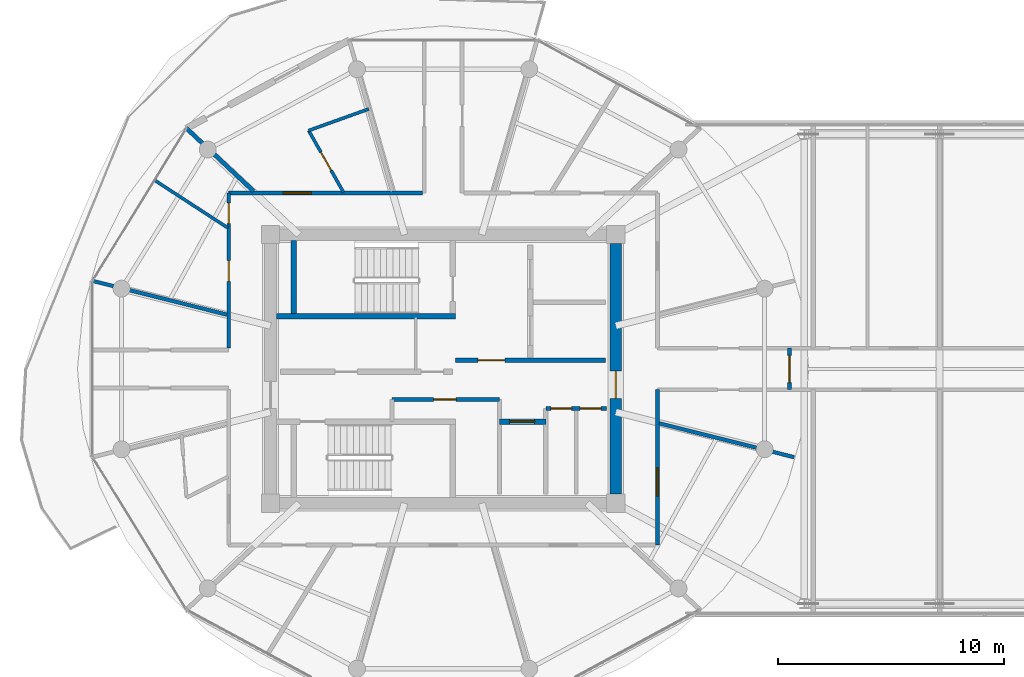
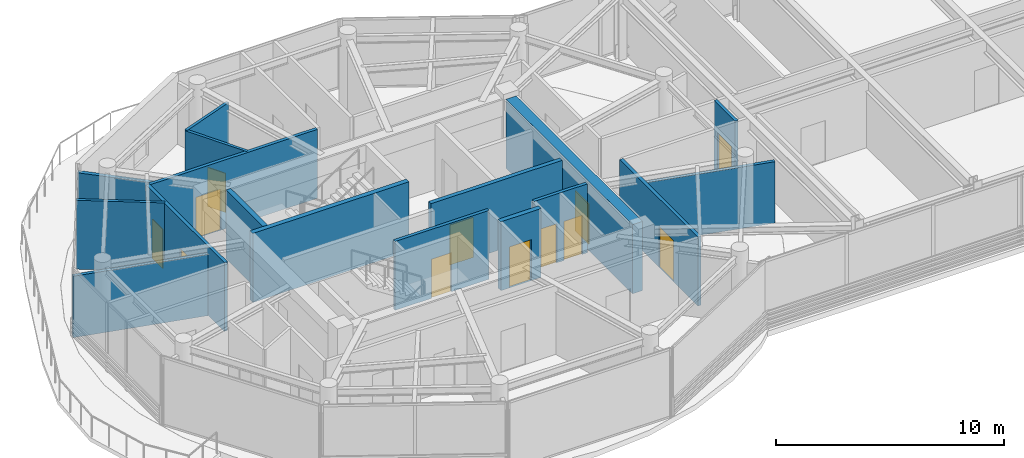
# One storey, part 14 of 24: 17 walls, 12 doors, 12 openings.
"""IFC4 building model written with IfcOpenShell, lengths in metres."""

from ifc_helpers import new_model, si_unit, direction, frame, frame_2d, origin, place, context, subcontext, project, spatial, rectangle, extrude, source, transform, mapped, material, layer, layer_set, type_object, type_shapes, element, fill, save


model = new_model("IFC4")

# Units and contexts
model_context = context("Model", 3, precision=1e-05, world=origin(), true_north=direction((0.0, 1.0)))
body_context = subcontext(model_context, "Body", "Model", "MODEL_VIEW")
ifc_project = project(units=[si_unit("LENGTHUNIT", "METRE"), si_unit("AREAUNIT", "SQUARE_METRE"), si_unit("VOLUMEUNIT", "CUBIC_METRE"), si_unit("PLANEANGLEUNIT", "RADIAN"), si_unit("MASSUNIT", "GRAM", prefix="KILO")], contexts=[model_context])

# Site, building, storey
site_placement = place(None, origin())
site = spatial("IfcSite", under=ifc_project, at=site_placement, CompositionType="ELEMENT")
building_placement = place(site_placement, origin())
building = spatial("IfcBuilding", under=site, at=building_placement, Name="Norrkilde Senior Care Towers", CompositionType="ELEMENT")
storey_placement = place(building_placement, frame((0.0, 0.0, 203.800048828125)))
storey = spatial("IfcBuildingStorey", under=building, at=storey_placement, Name="L63", CompositionType="ELEMENT", Elevation=203.800048828125)

# Wall, opening, door
ifc_material_1 = material(Name="Concrete C50/60", Category="concrete")
ifc_layer_1 = layer(ifc_material_1, 0.52001953125)
ifc_layer_set_1 = layer_set([ifc_layer_1], Name="Concrete C50/60")
wall_type_1 = type_object("IfcWallType", Name="Core Shear Wall Z4 520", PredefinedType="SHEAR", material=ifc_layer_set_1)
shared_shape_1 = source(origin(), body_context, "Body", "SweptSolid", [
    extrude(rectangle(XDim=11.10009765625, YDim=0.52001953125, at=frame_2d((5.550048828125, 0.0))), origin(), (0.0, 0.0, 1.0), 3.7099609375),
])
type_shapes(wall_type_1, [shared_shape_1])
wall_1_placement = place(storey_placement, frame((-20.35009765625, 5.550048828125, 0.0), z_axis=(0.0, 0.0, 1.0), x_axis=(0.0, -1.0, 0.0)))
wall_1 = element("IfcWall", 1, at=wall_1_placement, inside=storey, type_object=wall_type_1, Name="L63 Core W East Shear Wall", PredefinedType="SHEAR", context=body_context, shape_type="MappedRepresentation", body=[
    mapped(shared_shape_1, transform((0.0, 0.0, 0.0), x_axis=(1.0, 0.0, 0.0), y_axis=(0.0, 1.0, 0.0), z_axis=(0.0, 0.0, 1.0), scale=1.0)),
])
opening_1_placement = place(wall_1_placement, frame((5.64990234375, 0.0, 0.0)))
opening_1 = element("IfcOpeningElement", 2, at=opening_1_placement, cuts=wall_1, Name="Opening D-04", PredefinedType="OPENING", context=body_context, shape_type="SweptSolid", body=[
    extrude(rectangle(XDim=1.199951171875, YDim=2.14990234375, at=frame_2d((0.60009765625, 1.074951171875))), frame((0.0, 0.27001953125, 0.0), z_axis=(0.0, -1.0, 0.0), x_axis=(1.0, 0.0, 0.0)), (0.0, 0.0, 1.0), 0.5400390625),
])
ifc_material_2 = material(Name="Galvanised Painted Steel", Category="steel")
door_type_1 = type_object("IfcDoorType", Name="Firefighting Lobby Fire Door 1200x2150", OperationType="NOTDEFINED", PredefinedType="DOOR", material=ifc_material_2)
shared_shape_2 = source(origin(), body_context, "Body", "SweptSolid", [
    extrude(rectangle(XDim=1.199951171875, YDim=2.14990234375, at=frame_2d((0.60009765625, 1.074951171875))), frame((0.0, 0.02490234375, 0.0), z_axis=(0.0, -1.0, 0.0), x_axis=(1.0, 0.0, 0.0)), (0.0, 0.0, 1.0), 0.050048828125),
])
type_shapes(door_type_1, [shared_shape_2])
door_1_placement = place(opening_1_placement, frame((1.199951171875, 0.0, 0.0), z_axis=(0.0, 0.0, 1.0), x_axis=(-1.0, 0.0, 0.0)))
door_1 = element("IfcDoor", 3, at=door_1_placement, inside=storey, type_object=door_type_1, Name="L63 Core W East Portal Door", OperationType="SINGLE_SWING_RIGHT", OverallHeight=2.14990234375, OverallWidth=1.199951171875, PredefinedType="DOOR", context=body_context, shape_type="MappedRepresentation", body=[
    mapped(shared_shape_2, transform((0.0, 0.0, 0.0), x_axis=(1.0, 0.0, 0.0), y_axis=(0.0, 1.0, 0.0), z_axis=(0.0, 0.0, 1.0), scale=1.0)),
])
fill(opening_1, door_1)

# Walls
ifc_material_3 = material(Name="Concrete C45/55", Category="concrete")
ifc_layer_2 = layer(ifc_material_3, 0.239990234375)
ifc_layer_set_2 = layer_set([ifc_layer_2], Name="Concrete C45/55")
wall_type_2 = type_object("IfcWallType", Name="Shaft and Stair Enclosure Wall 240", PredefinedType="PARTITIONING", material=ifc_layer_set_2)
shared_shape_3 = source(origin(), body_context, "Body", "SweptSolid", [
    extrude(rectangle(XDim=7.929931640625, YDim=0.239990234375, at=frame_2d((3.96484375, 0.0))), origin(), (0.0, 0.0, 1.0), 3.7099609375),
])
wall_2_placement = place(storey_placement, frame((-35.389892578125, 2.330078125, 0.0), z_axis=(0.0, 0.0, 1.0), x_axis=(1.0, 0.0, 0.0)))
element("IfcWall", 4, at=wall_2_placement, inside=storey, type_object=wall_type_2, Name="WL-INT-L63-W-ST1S", PredefinedType="PARTITIONING", context=body_context, shape_type="MappedRepresentation", body=[
    mapped(shared_shape_3, transform((0.0, 0.0, 0.0), x_axis=(1.0, 0.0, 0.0), y_axis=(0.0, 1.0, 0.0), z_axis=(0.0, 0.0, 1.0), scale=1.0)),
])
shared_shape_4 = source(origin(), body_context, "Body", "SweptSolid", [
    extrude(rectangle(XDim=3.239990234375, YDim=0.239990234375, at=frame_2d((1.6201171875, 0.0))), origin(), (0.0, 0.0, 1.0), 3.7099609375),
])
type_shapes(wall_type_2, [shared_shape_3, shared_shape_4])
wall_3_placement = place(storey_placement, frame((-34.6201171875, 2.449951171875, 0.0), z_axis=(0.0, 0.0, 1.0), x_axis=(0.0, 1.0, 0.0)))
element("IfcWall", 5, at=wall_3_placement, inside=storey, type_object=wall_type_2, Name="WL-INT-L63-W-ST1W", PredefinedType="PARTITIONING", context=body_context, shape_type="MappedRepresentation", body=[
    mapped(shared_shape_4, transform((0.0, 0.0, 0.0), x_axis=(1.0, 0.0, 0.0), y_axis=(0.0, 1.0, 0.0), z_axis=(0.0, 0.0, 1.0), scale=1.0)),
])

# Wall, opening, door
ifc_layer_3 = layer(ifc_material_3, 0.2099609375)
ifc_layer_set_3 = layer_set([ifc_layer_3], Name="Concrete C45/55")
wall_type_3 = type_object("IfcWallType", Name="Firefighting Lobby Wall 210", PredefinedType="PARTITIONING", material=ifc_layer_set_3)
shared_shape_5 = source(origin(), body_context, "Body", "SweptSolid", [
    extrude(rectangle(XDim=6.659912109375, YDim=0.2099609375, at=frame_2d((3.330078125, 0.0))), origin(), (0.0, 0.0, 1.0), 3.695068359375),
])
type_shapes(wall_type_3, [shared_shape_5])
wall_4_placement = place(storey_placement, frame((-27.4599609375, 0.389892578125, 0.0), z_axis=(0.0, 0.0, 1.0), x_axis=(1.0, 0.0, 0.0)))
wall_4 = element("IfcWall", 6, at=wall_4_placement, inside=storey, type_object=wall_type_3, Name="WL-INT-L63-W-FFLS", PredefinedType="PARTITIONING", context=body_context, shape_type="MappedRepresentation", body=[
    mapped(shared_shape_5, transform((0.0, 0.0, 0.0), x_axis=(1.0, 0.0, 0.0), y_axis=(0.0, 1.0, 0.0), z_axis=(0.0, 0.0, 1.0), scale=1.0)),
])
opening_2_placement = place(wall_4_placement, frame((1.0, 0.0, 0.0)))
opening_2 = element("IfcOpeningElement", 7, at=opening_2_placement, cuts=wall_4, Name="Opening D-04", PredefinedType="OPENING", context=body_context, shape_type="SweptSolid", body=[
    extrude(rectangle(XDim=1.199951171875, YDim=2.14990234375, at=frame_2d((0.60009765625, 1.074951171875))), frame((0.0, 0.114990234375, 0.0), z_axis=(0.0, -1.0, 0.0), x_axis=(1.0, 0.0, 0.0)), (0.0, 0.0, 1.0), 0.22998046875),
])
door_2_placement = place(opening_2_placement, frame((1.199951171875, 0.0, 0.0), z_axis=(0.0, 0.0, 1.0), x_axis=(-1.0, 0.0, 0.0)))
door_2 = element("IfcDoor", 8, at=door_2_placement, inside=storey, type_object=door_type_1, Name="L63 Firefighting Lobby W Door", OperationType="SINGLE_SWING_LEFT", OverallHeight=2.14990234375, OverallWidth=1.199951171875, PredefinedType="DOOR", context=body_context, shape_type="MappedRepresentation", body=[
    mapped(shared_shape_2, transform((0.0, 0.0, 0.0), x_axis=(1.0, 0.0, 0.0), y_axis=(0.0, 1.0, 0.0), z_axis=(0.0, 0.0, 1.0), scale=1.0)),
])
fill(opening_2, door_2)

ifc_layer_4 = layer(ifc_material_3, 0.239990234375)
ifc_layer_set_4 = layer_set([ifc_layer_4], Name="Concrete C45/55")
wall_type_4 = type_object("IfcWallType", Name="Lift and Plant Rated Enclosure Partition 240", PredefinedType="PARTITIONING", material=ifc_layer_set_4)
shared_shape_6 = source(origin(), body_context, "Body", "SweptSolid", [
    extrude(rectangle(XDim=2.050048828125, YDim=0.239990234375, at=frame_2d((1.02490234375, 0.0))), origin(), (0.0, 0.0, 1.0), 3.695068359375),
])
type_shapes(wall_type_4, [shared_shape_6])
wall_5_placement = place(storey_placement, frame((-25.5, -2.330078125, 0.0), z_axis=(0.0, 0.0, 1.0), x_axis=(1.0, 0.0, 0.0)))
wall_5 = element("IfcWall", 9, at=wall_5_placement, inside=storey, type_object=wall_type_4, Name="WL-INT-L63-W-PL4N", PredefinedType="PARTITIONING", context=body_context, shape_type="MappedRepresentation", body=[
    mapped(shared_shape_6, transform((0.0, 0.0, 0.0), x_axis=(1.0, 0.0, 0.0), y_axis=(0.0, 1.0, 0.0), z_axis=(0.0, 0.0, 1.0), scale=1.0)),
])
opening_3_placement = place(wall_5_placement, frame((0.449951171875, 0.0, 0.0)))
opening_3 = element("IfcOpeningElement", 10, at=opening_3_placement, cuts=wall_5, Name="Opening LD-01", PredefinedType="OPENING", context=body_context, shape_type="SweptSolid", body=[
    extrude(rectangle(XDim=1.10009765625, YDim=2.199951171875, at=frame_2d((0.550048828125, 1.10009765625))), frame((0.0, 0.1298828125, 0.0), z_axis=(0.0, -1.0, 0.0), x_axis=(1.0, 0.0, 0.0)), (0.0, 0.0, 1.0), 0.260009765625),
])
ifc_material_4 = material(Name="Stainless Steel", Category="steel")
door_type_2 = type_object("IfcDoorType", Name="Lift Landing Sliding Door 1100x2200", OperationType="NOTDEFINED", PredefinedType="DOOR", material=ifc_material_4)
shared_shape_7 = source(origin(), body_context, "Body", "SweptSolid", [
    extrude(rectangle(XDim=1.10009765625, YDim=2.199951171875, at=frame_2d((0.550048828125, 1.10009765625))), frame((0.0, 0.02490234375, 0.0), z_axis=(0.0, -1.0, 0.0), x_axis=(1.0, 0.0, 0.0)), (0.0, 0.0, 1.0), 0.050048828125),
])
type_shapes(door_type_2, [shared_shape_7])
door_3_placement = place(opening_3_placement, frame((1.10009765625, 0.0, 0.0), z_axis=(0.0, 0.0, 1.0), x_axis=(-1.0, 0.0, 0.0)))
door_3 = element("IfcDoor", 11, at=door_3_placement, inside=storey, type_object=door_type_2, Name="L63 Passenger Lift W4 Landing Door", OperationType="SLIDING_TO_RIGHT", OverallHeight=2.199951171875, OverallWidth=1.10009765625, PredefinedType="DOOR", context=body_context, shape_type="MappedRepresentation", body=[
    mapped(shared_shape_7, transform((0.0, 0.0, 0.0), x_axis=(1.0, 0.0, 0.0), y_axis=(0.0, 1.0, 0.0), z_axis=(0.0, 0.0, 1.0), scale=1.0)),
])
fill(opening_3, door_3)

ifc_material_5 = material(Name="Gypsum Acoustic Board")
ifc_layer_5 = layer(ifc_material_5, 0.1650390625)
ifc_layer_set_5 = layer_set([ifc_layer_5], Name="Gypsum Acoustic Board")
wall_type_5 = type_object("IfcWallType", Name="Corridor Rated Partition 165", PredefinedType="PARTITIONING", material=ifc_layer_set_5)
shared_shape_8 = source(origin(), body_context, "Body", "SweptSolid", [
    extrude(rectangle(XDim=4.77001953125, YDim=0.1650390625, at=frame_2d((2.385009765625, 0.0))), origin(), (0.0, 0.0, 1.0), 3.695068359375),
])
wall_6_placement = place(storey_placement, frame((-30.27001953125, -1.35009765625, 0.0), z_axis=(0.0, 0.0, 1.0), x_axis=(1.0, 0.0, 0.0)))
wall_6 = element("IfcWall", 12, at=wall_6_placement, inside=storey, type_object=wall_type_5, Name="WL-INT-L63-W-FR2N", PredefinedType="PARTITIONING", context=body_context, shape_type="MappedRepresentation", body=[
    mapped(shared_shape_8, transform((0.0, 0.0, 0.0), x_axis=(1.0, 0.0, 0.0), y_axis=(0.0, 1.0, 0.0), z_axis=(0.0, 0.0, 1.0), scale=1.0)),
])
opening_4_placement = place(wall_6_placement, frame((1.85009765625, 0.0, 0.0)))
opening_4 = element("IfcOpeningElement", 13, at=opening_4_placement, cuts=wall_6, Name="Opening D-10", PredefinedType="OPENING", context=body_context, shape_type="SweptSolid", body=[
    extrude(rectangle(XDim=1.0, YDim=2.10009765625, at=frame_2d((0.5, 1.050048828125))), frame((0.0, 0.092529296875, 0.0), z_axis=(0.0, -1.0, 0.0), x_axis=(1.0, 0.0, 0.0)), (0.0, 0.0, 1.0), 0.18505859375),
])
door_type_3 = type_object("IfcDoorType", Name="Plant and Riser Rated Door 1000x2100", OperationType="NOTDEFINED", PredefinedType="DOOR", material=ifc_material_2)
shared_shape_9 = source(origin(), body_context, "Body", "SweptSolid", [
    extrude(rectangle(XDim=1.0, YDim=2.10009765625, at=frame_2d((0.5, 1.050048828125))), frame((0.0, 0.02490234375, 0.0), z_axis=(0.0, -1.0, 0.0), x_axis=(1.0, 0.0, 0.0)), (0.0, 0.0, 1.0), 0.050048828125),
])
type_shapes(door_type_3, [shared_shape_9])
door_4_placement = place(opening_4_placement, origin())
door_4 = element("IfcDoor", 14, at=door_4_placement, inside=storey, type_object=door_type_3, Name="L63 Core Pantry W Door", OperationType="SINGLE_SWING_RIGHT", OverallHeight=2.10009765625, OverallWidth=1.0, PredefinedType="DOOR", context=body_context, shape_type="MappedRepresentation", body=[
    mapped(shared_shape_9, transform((0.0, 0.0, 0.0), x_axis=(1.0, 0.0, 0.0), y_axis=(0.0, 1.0, 0.0), z_axis=(0.0, 0.0, 1.0), scale=1.0)),
])
fill(opening_4, door_4)

# Wall, openings, doors
shared_shape_10 = source(origin(), body_context, "Body", "SweptSolid", [
    extrude(rectangle(XDim=2.699951171875, YDim=0.1650390625, at=frame_2d((1.35009765625, 0.0))), origin(), (0.0, 0.0, 1.0), 3.695068359375),
])
wall_7_placement = place(storey_placement, frame((-23.449951171875, -1.75, 0.0), z_axis=(0.0, 0.0, 1.0), x_axis=(1.0, 0.0, 0.0)))
wall_7 = element("IfcWall", 15, at=wall_7_placement, inside=storey, type_object=wall_type_5, Name="WL-INT-L63-W-CSN", PredefinedType="PARTITIONING", context=body_context, shape_type="MappedRepresentation", body=[
    mapped(shared_shape_10, transform((0.0, 0.0, 0.0), x_axis=(1.0, 0.0, 0.0), y_axis=(0.0, 1.0, 0.0), z_axis=(0.0, 0.0, 1.0), scale=1.0)),
])
opening_5_placement = place(wall_7_placement, frame((0.222412109375, 0.0, 0.0)))
opening_5 = element("IfcOpeningElement", 16, at=opening_5_placement, cuts=wall_7, Name="Opening D-12", PredefinedType="OPENING", context=body_context, shape_type="SweptSolid", body=[
    extrude(rectangle(XDim=0.925048828125, YDim=2.10009765625, at=frame_2d((0.46240234375, 1.050048828125))), frame((0.0, 0.092529296875, 0.0), z_axis=(0.0, -1.0, 0.0), x_axis=(1.0, 0.0, 0.0)), (0.0, 0.0, 1.0), 0.18505859375),
])
opening_6_placement = place(wall_7_placement, frame((1.5224609375, 0.0, 0.0)))
opening_6 = element("IfcOpeningElement", 17, at=opening_6_placement, cuts=wall_7, Name="Opening D-12", PredefinedType="OPENING", context=body_context, shape_type="SweptSolid", body=[
    extrude(rectangle(XDim=0.925048828125, YDim=2.10009765625, at=frame_2d((0.46240234375, 1.050048828125))), frame((0.0, 0.092529296875, 0.0), z_axis=(0.0, -1.0, 0.0), x_axis=(1.0, 0.0, 0.0)), (0.0, 0.0, 1.0), 0.18505859375),
])
door_type_4 = type_object("IfcDoorType", Name="Core Wet Room Rated Door 925x2100", OperationType="NOTDEFINED", PredefinedType="DOOR", material=ifc_material_2)
shared_shape_11 = source(origin(), body_context, "Body", "SweptSolid", [
    extrude(rectangle(XDim=0.925048828125, YDim=2.10009765625, at=frame_2d((0.46240234375, 1.050048828125))), frame((0.0, 0.02490234375, 0.0), z_axis=(0.0, -1.0, 0.0), x_axis=(1.0, 0.0, 0.0)), (0.0, 0.0, 1.0), 0.050048828125),
])
type_shapes(door_type_4, [shared_shape_11])
door_5_placement = place(opening_5_placement, origin())
door_5 = element("IfcDoor", 18, at=door_5_placement, inside=storey, type_object=door_type_4, Name="L63 Staff Accessible WC W Door", OperationType="SINGLE_SWING_LEFT", OverallHeight=2.10009765625, OverallWidth=0.925048828125, PredefinedType="DOOR", context=body_context, shape_type="MappedRepresentation", body=[
    mapped(shared_shape_11, transform((0.0, 0.0, 0.0), x_axis=(1.0, 0.0, 0.0), y_axis=(0.0, 1.0, 0.0), z_axis=(0.0, 0.0, 1.0), scale=1.0)),
])
fill(opening_5, door_5)
door_6_placement = place(opening_6_placement, origin())
door_6 = element("IfcDoor", 19, at=door_6_placement, inside=storey, type_object=door_type_4, Name="L63 Housekeeping Store W Door", OperationType="SINGLE_SWING_RIGHT", OverallHeight=2.10009765625, OverallWidth=0.925048828125, PredefinedType="DOOR", context=body_context, shape_type="MappedRepresentation", body=[
    mapped(shared_shape_11, transform((0.0, 0.0, 0.0), x_axis=(1.0, 0.0, 0.0), y_axis=(0.0, 1.0, 0.0), z_axis=(0.0, 0.0, 1.0), scale=1.0)),
])
fill(opening_6, door_6)

# Wall, opening, door
shared_shape_12 = source(origin(), body_context, "Body", "SweptSolid", [
    extrude(rectangle(XDim=8.580078125, YDim=0.1650390625, at=frame_2d((4.2900390625, 0.0))), origin(), (0.0, 0.0, 1.0), 3.695068359375),
])
wall_8_placement = place(storey_placement, frame((-37.5, 7.800048828125, 0.0), z_axis=(0.0, 0.0, 1.0), x_axis=(1.0, 0.0, 0.0)))
wall_8 = element("IfcWall", 20, at=wall_8_placement, inside=storey, type_object=wall_type_5, Name="WL-INT-L63-W-CRW-N-0", PredefinedType="PARTITIONING", context=body_context, shape_type="MappedRepresentation", body=[
    mapped(shared_shape_12, transform((0.0, 0.0, 0.0), x_axis=(1.0, 0.0, 0.0), y_axis=(0.0, 1.0, 0.0), z_axis=(0.0, 0.0, 1.0), scale=1.0)),
])
opening_7_placement = place(wall_8_placement, frame((2.41455078125, 0.0, 0.0)))
opening_7 = element("IfcOpeningElement", 21, at=opening_7_placement, cuts=wall_8, Name="Opening D-05", PredefinedType="OPENING", context=body_context, shape_type="SweptSolid", body=[
    extrude(rectangle(XDim=1.25, YDim=2.199951171875, at=frame_2d((0.625, 1.10009765625))), frame((0.0, 0.092529296875, 0.0), z_axis=(0.0, -1.0, 0.0), x_axis=(1.0, 0.0, 0.0)), (0.0, 0.0, 1.0), 0.18505859375),
])
ifc_material_6 = material(Name="Nordic Ash Timber", Category="wood")
door_type_5 = type_object("IfcDoorType", Name="Care Bedroom Bariatric Door 1250x2200", OperationType="NOTDEFINED", PredefinedType="DOOR", material=ifc_material_6)
shared_shape_13 = source(origin(), body_context, "Body", "SweptSolid", [
    extrude(rectangle(XDim=1.25, YDim=2.199951171875, at=frame_2d((0.625, 1.10009765625))), frame((0.0, 0.02490234375, 0.0), z_axis=(0.0, -1.0, 0.0), x_axis=(1.0, 0.0, 0.0)), (0.0, 0.0, 1.0), 0.050048828125),
])
type_shapes(door_type_5, [shared_shape_13])
door_7_placement = place(opening_7_placement, frame((1.25, 0.0, 0.0), z_axis=(0.0, 0.0, 1.0), x_axis=(-1.0, 0.0, 0.0)))
door_7 = element("IfcDoor", 22, at=door_7_placement, inside=storey, type_object=door_type_5, Name="L63 Care Suite 6303 Entrance Door", OperationType="SINGLE_SWING_LEFT", OverallHeight=2.199951171875, OverallWidth=1.25, PredefinedType="DOOR", context=body_context, shape_type="MappedRepresentation", body=[
    mapped(shared_shape_13, transform((0.0, 0.0, 0.0), x_axis=(1.0, 0.0, 0.0), y_axis=(0.0, 1.0, 0.0), z_axis=(0.0, 0.0, 1.0), scale=1.0)),
])
fill(opening_7, door_7)

# Wall, openings, doors
shared_shape_14 = source(origin(), body_context, "Body", "SweptSolid", [
    extrude(rectangle(XDim=6.880126953125, YDim=0.1650390625, at=frame_2d((3.43994140625, 0.0))), origin(), (0.0, 0.0, 1.0), 3.695068359375),
])
wall_9_placement = place(storey_placement, frame((-37.5, 0.919921875, 0.0), z_axis=(0.0, 0.0, 1.0), x_axis=(0.0, 1.0, 0.0)))
wall_9 = element("IfcWall", 23, at=wall_9_placement, inside=storey, type_object=wall_type_5, Name="WL-INT-L63-W-CRW-W-1", PredefinedType="PARTITIONING", context=body_context, shape_type="MappedRepresentation", body=[
    mapped(shared_shape_14, transform((0.0, 0.0, 0.0), x_axis=(1.0, 0.0, 0.0), y_axis=(0.0, 1.0, 0.0), z_axis=(0.0, 0.0, 1.0), scale=1.0)),
])
opening_8_placement = place(wall_9_placement, frame((5.525146484375, 0.0, 0.0)))
opening_8 = element("IfcOpeningElement", 24, at=opening_8_placement, cuts=wall_9, Name="Opening D-08", PredefinedType="OPENING", context=body_context, shape_type="SweptSolid", body=[
    extrude(rectangle(XDim=0.919921875, YDim=2.10009765625, at=frame_2d((0.4599609375, 1.050048828125))), frame((0.0, 0.092529296875, 0.0), z_axis=(0.0, -1.0, 0.0), x_axis=(1.0, 0.0, 0.0)), (0.0, 0.0, 1.0), 0.18505859375),
])
opening_9_placement = place(wall_9_placement, frame((2.96240234375, 0.0, 0.0)))
opening_9 = element("IfcOpeningElement", 25, at=opening_9_placement, cuts=wall_9, Name="Opening D-08", PredefinedType="OPENING", context=body_context, shape_type="SweptSolid", body=[
    extrude(rectangle(XDim=0.919921875, YDim=2.10009765625, at=frame_2d((0.4599609375, 1.050048828125))), frame((0.0, 0.092529296875, 0.0), z_axis=(0.0, -1.0, 0.0), x_axis=(1.0, 0.0, 0.0)), (0.0, 0.0, 1.0), 0.18505859375),
])
door_type_6 = type_object("IfcDoorType", Name="Accessible Wet Room Door 920x2100", OperationType="NOTDEFINED", PredefinedType="DOOR", material=ifc_material_6)
shared_shape_15 = source(origin(), body_context, "Body", "SweptSolid", [
    extrude(rectangle(XDim=0.919921875, YDim=2.10009765625, at=frame_2d((0.4599609375, 1.050048828125))), frame((0.0, 0.02490234375, 0.0), z_axis=(0.0, -1.0, 0.0), x_axis=(1.0, 0.0, 0.0)), (0.0, 0.0, 1.0), 0.050048828125),
])
type_shapes(door_type_6, [shared_shape_15])
door_8_placement = place(opening_8_placement, frame((0.919921875, 0.0, 0.0), z_axis=(0.0, 0.0, 1.0), x_axis=(-1.0, 0.0, 0.0)))
door_8 = element("IfcDoor", 26, at=door_8_placement, inside=storey, type_object=door_type_6, Name="L63 Accessible Restroom Door", OperationType="SINGLE_SWING_LEFT", OverallHeight=2.10009765625, OverallWidth=0.919921875, PredefinedType="DOOR", context=body_context, shape_type="MappedRepresentation", body=[
    mapped(shared_shape_15, transform((0.0, 0.0, 0.0), x_axis=(1.0, 0.0, 0.0), y_axis=(0.0, 1.0, 0.0), z_axis=(0.0, 0.0, 1.0), scale=1.0)),
])
fill(opening_8, door_8)
door_9_placement = place(opening_9_placement, frame((0.919921875, 0.0, 0.0), z_axis=(0.0, 0.0, 1.0), x_axis=(-1.0, 0.0, 0.0)))
door_9 = element("IfcDoor", 27, at=door_9_placement, inside=storey, type_object=door_type_6, Name="L63 Public Restroom Door", OperationType="SINGLE_SWING_RIGHT", OverallHeight=2.10009765625, OverallWidth=0.919921875, PredefinedType="DOOR", context=body_context, shape_type="MappedRepresentation", body=[
    mapped(shared_shape_15, transform((0.0, 0.0, 0.0), x_axis=(1.0, 0.0, 0.0), y_axis=(0.0, 1.0, 0.0), z_axis=(0.0, 0.0, 1.0), scale=1.0)),
])
fill(opening_9, door_9)

# Wall, opening, door
wall_10_placement = place(storey_placement, frame((-18.5, -0.919921875, 0.0), z_axis=(0.0, 0.0, 1.0), x_axis=(0.0, -1.0, 0.0)))
wall_10 = element("IfcWall", 28, at=wall_10_placement, inside=storey, type_object=wall_type_5, Name="WL-INT-L63-W-CRW-E-1", PredefinedType="PARTITIONING", context=body_context, shape_type="MappedRepresentation", body=[
    mapped(shared_shape_14, transform((0.0, 0.0, 0.0), x_axis=(1.0, 0.0, 0.0), y_axis=(0.0, 1.0, 0.0), z_axis=(0.0, 0.0, 1.0), scale=1.0)),
])
opening_10_placement = place(wall_10_placement, frame((3.46435546875, 0.0, 0.0)))
opening_10 = element("IfcOpeningElement", 29, at=opening_10_placement, cuts=wall_10, Name="Opening D-05", PredefinedType="OPENING", context=body_context, shape_type="SweptSolid", body=[
    extrude(rectangle(XDim=1.25, YDim=2.199951171875, at=frame_2d((0.625, 1.10009765625))), frame((0.0, 0.092529296875, 0.0), z_axis=(0.0, -1.0, 0.0), x_axis=(1.0, 0.0, 0.0)), (0.0, 0.0, 1.0), 0.18505859375),
])
door_10_placement = place(opening_10_placement, frame((1.25, 0.0, 0.0), z_axis=(0.0, 0.0, 1.0), x_axis=(-1.0, 0.0, 0.0)))
door_10 = element("IfcDoor", 30, at=door_10_placement, inside=storey, type_object=door_type_5, Name="L63 Care Coordination Charting Office Door", OperationType="SINGLE_SWING_LEFT", OverallHeight=2.199951171875, OverallWidth=1.25, PredefinedType="DOOR", context=body_context, shape_type="MappedRepresentation", body=[
    mapped(shared_shape_13, transform((0.0, 0.0, 0.0), x_axis=(1.0, 0.0, 0.0), y_axis=(0.0, 1.0, 0.0), z_axis=(0.0, 0.0, 1.0), scale=1.0)),
])
fill(opening_10, door_10)

# Walls
shared_shape_16 = source(origin(), body_context, "Body", "SweptSolid", [
    extrude(rectangle(XDim=6.1572265625, YDim=0.1650390625, at=frame_2d((3.07861328125, 0.0))), origin(), (0.0, 0.0, 1.0), 3.294921875),
])
for number, where, z_axis, x_axis, name in (
    (31, (-37.580078125, 2.407470703125, 0.0), (0.0, 0.0, 1.0), (-0.969840867184, 0.243738984038, 0.0), "WL-INT-L63-W-DEM-05-0"),
    (32, (-18.419921875, -2.407470703125, 0.0), (0.0, 0.0, 1.0), (0.969840867184, -0.243738984038, 0.0), "WL-INT-L63-W-DEM-11-0"),
):
    element("IfcWall", number, at=place(storey_placement, frame(where, z_axis=z_axis, x_axis=x_axis)), inside=storey, type_object=wall_type_5, Name=name, PredefinedType="PARTITIONING", context=body_context, shape_type="MappedRepresentation", body=[
        mapped(shared_shape_16, transform((0.0, 0.0, 0.0), x_axis=(1.0, 0.0, 0.0), y_axis=(0.0, 1.0, 0.0), z_axis=(0.0, 0.0, 1.0), scale=1.0)),
    ])
ifc_layer_6 = layer(ifc_material_5, 0.18994140625)
ifc_layer_set_6 = layer_set([ifc_layer_6], Name="Gypsum Acoustic Board")
wall_type_6 = type_object("IfcWallType", Name="Unit Demising Acoustic Wall 190", PredefinedType="PARTITIONING", material=ifc_layer_set_6)
shared_shape_17 = source(origin(), body_context, "Body", "SweptSolid", [
    extrude(rectangle(XDim=4.089111328125, YDim=0.18994140625, at=frame_2d((2.04443359375, 0.0))), origin(), (0.0, 0.0, 1.0), 3.294921875),
])
type_shapes(wall_type_6, [shared_shape_17])
wall_11_placement = place(storey_placement, frame((-36.40185546875, 7.8798828125, 0.0), z_axis=(0.0, 0.0, 1.0), x_axis=(-0.729401273609, 0.684086092577, 0.0)))
element("IfcWall", 33, at=wall_11_placement, inside=storey, type_object=wall_type_6, Name="WL-INT-L63-W-DEM-04-0", PredefinedType="PARTITIONING", context=body_context, shape_type="MappedRepresentation", body=[
    mapped(shared_shape_17, transform((0.0, 0.0, 0.0), x_axis=(1.0, 0.0, 0.0), y_axis=(0.0, 1.0, 0.0), z_axis=(0.0, 0.0, 1.0), scale=1.0)),
])

# Wall, opening, door
ifc_layer_7 = layer(ifc_material_5, 0.139892578125)
ifc_layer_set_7 = layer_set([ifc_layer_7], Name="Gypsum Acoustic Board")
wall_type_7 = type_object("IfcWallType", Name="En-suite Wet Room Wall 140", PredefinedType="PARTITIONING", material=ifc_layer_set_7)
shared_shape_18 = source(origin(), body_context, "Body", "SweptSolid", [
    extrude(rectangle(XDim=3.14013671875, YDim=0.139892578125, at=frame_2d((1.570068359375, 0.0))), origin(), (0.0, 0.0, 1.0), 3.695068359375),
])
wall_12_placement = place(storey_placement, frame((-32.4150390625, 7.830078125, 0.0), z_axis=(0.0, 0.0, 1.0), x_axis=(-0.491132137966, 0.871085083707, 0.0)))
wall_12 = element("IfcWall", 34, at=wall_12_placement, inside=storey, type_object=wall_type_7, Name="WL-INT-L63-W-ES-03", PredefinedType="PARTITIONING", context=body_context, shape_type="MappedRepresentation", body=[
    mapped(shared_shape_18, transform((0.0, 0.0, 0.0), x_axis=(1.0, 0.0, 0.0), y_axis=(0.0, 1.0, 0.0), z_axis=(0.0, 0.0, 1.0), scale=1.0)),
])
opening_11_placement = place(wall_12_placement, frame((1.110107421875, 0.0, 0.0)))
opening_11 = element("IfcOpeningElement", 35, at=opening_11_placement, cuts=wall_12, Name="Opening D-08", PredefinedType="OPENING", context=body_context, shape_type="SweptSolid", body=[
    extrude(rectangle(XDim=0.919921875, YDim=2.10009765625, at=frame_2d((0.4599609375, 1.050048828125))), frame((0.0, 0.079833984375, 0.0), z_axis=(0.0, -1.0, 0.0), x_axis=(1.0, 0.0, 0.0)), (0.0, 0.0, 1.0), 0.159912109375),
])
door_11_placement = place(opening_11_placement, origin())
door_11 = element("IfcDoor", 36, at=door_11_placement, inside=storey, type_object=door_type_6, Name="L63 Care Suite 6303 Bathroom Door", OperationType="SINGLE_SWING_RIGHT", OverallHeight=2.10009765625, OverallWidth=0.919921875, PredefinedType="DOOR", context=body_context, shape_type="MappedRepresentation", body=[
    mapped(shared_shape_15, transform((0.0, 0.0, 0.0), x_axis=(1.0, 0.0, 0.0), y_axis=(0.0, 1.0, 0.0), z_axis=(0.0, 0.0, 1.0), scale=1.0)),
])
fill(opening_11, door_11)

# Walls
shared_shape_19 = source(origin(), body_context, "Body", "SweptSolid", [
    extrude(rectangle(XDim=2.8310546875, YDim=0.139892578125, at=frame_2d((1.41552734375, 0.0))), origin(), (0.0, 0.0, 1.0), 3.695068359375),
])
wall_13_placement = place(storey_placement, frame((-33.957275390625, 10.5654296875, 0.0), z_axis=(0.0, 0.0, 1.0), x_axis=(0.941411742535, 0.337259441701, 0.0)))
element("IfcWall", 37, at=wall_13_placement, inside=storey, type_object=wall_type_7, Name="WL-INT-L63-W-EF-03", PredefinedType="PARTITIONING", context=body_context, shape_type="MappedRepresentation", body=[
    mapped(shared_shape_19, transform((0.0, 0.0, 0.0), x_axis=(1.0, 0.0, 0.0), y_axis=(0.0, 1.0, 0.0), z_axis=(0.0, 0.0, 1.0), scale=1.0)),
])
shared_shape_20 = source(origin(), body_context, "Body", "SweptSolid", [
    extrude(rectangle(XDim=3.903564453125, YDim=0.139892578125, at=frame_2d((1.95166015625, 0.0))), origin(), (0.0, 0.0, 1.0), 3.695068359375),
])
type_shapes(wall_type_7, [shared_shape_18, shared_shape_19, shared_shape_20])
wall_14_placement = place(storey_placement, frame((-37.530029296875, 6.245849609375, 0.0), z_axis=(0.0, 0.0, 1.0), x_axis=(-0.838024687996, 0.545632314209, 0.0)))
element("IfcWall", 38, at=wall_14_placement, inside=storey, type_object=wall_type_7, Name="WL-INT-L63-W-MID-04", PredefinedType="PARTITIONING", context=body_context, shape_type="MappedRepresentation", body=[
    mapped(shared_shape_20, transform((0.0, 0.0, 0.0), x_axis=(1.0, 0.0, 0.0), y_axis=(0.0, 1.0, 0.0), z_axis=(0.0, 0.0, 1.0), scale=1.0)),
])

# Wall, opening, door
shared_shape_21 = source(origin(), body_context, "Body", "SweptSolid", [
    extrude(rectangle(XDim=1.83984375, YDim=0.1650390625, at=frame_2d((0.919921875, 0.0))), origin(), (0.0, 0.0, 1.0), 3.695068359375),
])
type_shapes(wall_type_5, [shared_shape_8, shared_shape_10, shared_shape_12, shared_shape_14, shared_shape_16, shared_shape_21])
wall_15_placement = place(storey_placement, frame((-12.64990234375, -0.919921875, 0.0), z_axis=(0.0, 0.0, 1.0), x_axis=(0.0, 1.0, 0.0)))
wall_15 = element("IfcWall", 39, at=wall_15_placement, inside=storey, type_object=wall_type_5, Name="WL-INT-L63-BR-GW", PredefinedType="PARTITIONING", context=body_context, shape_type="MappedRepresentation", body=[
    mapped(shared_shape_21, transform((0.0, 0.0, 0.0), x_axis=(1.0, 0.0, 0.0), y_axis=(0.0, 1.0, 0.0), z_axis=(0.0, 0.0, 1.0), scale=1.0)),
])
opening_12_placement = place(wall_15_placement, frame((0.320068359375, 0.0, 0.0)))
opening_12 = element("IfcOpeningElement", 40, at=opening_12_placement, cuts=wall_15, Name="Opening D-04", PredefinedType="OPENING", context=body_context, shape_type="SweptSolid", body=[
    extrude(rectangle(XDim=1.199951171875, YDim=2.14990234375, at=frame_2d((0.60009765625, 1.074951171875))), frame((0.0, 0.092529296875, 0.0), z_axis=(0.0, -1.0, 0.0), x_axis=(1.0, 0.0, 0.0)), (0.0, 0.0, 1.0), 0.18505859375),
])
door_12_placement = place(opening_12_placement, frame((1.199951171875, 0.0, 0.0), z_axis=(0.0, 0.0, 1.0), x_axis=(-1.0, 0.0, 0.0)))
door_12 = element("IfcDoor", 41, at=door_12_placement, inside=storey, type_object=door_type_1, Name="L63 Sky-Gate Bridge GW Fire Door", OperationType="SINGLE_SWING_LEFT", OverallHeight=2.14990234375, OverallWidth=1.199951171875, PredefinedType="DOOR", context=body_context, shape_type="MappedRepresentation", body=[
    mapped(shared_shape_2, transform((0.0, 0.0, 0.0), x_axis=(1.0, 0.0, 0.0), y_axis=(0.0, 1.0, 0.0), z_axis=(0.0, 0.0, 1.0), scale=1.0)),
])
fill(opening_12, door_12)

save(model, "model.ifc")
